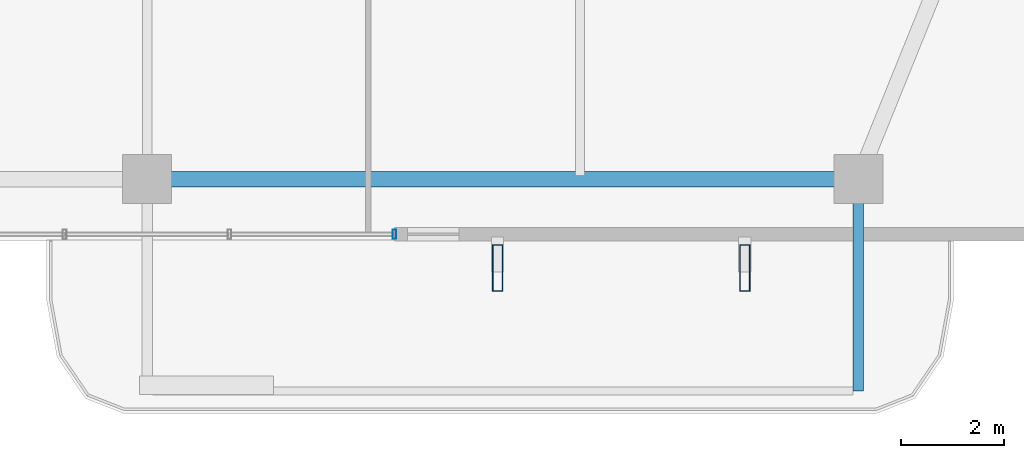
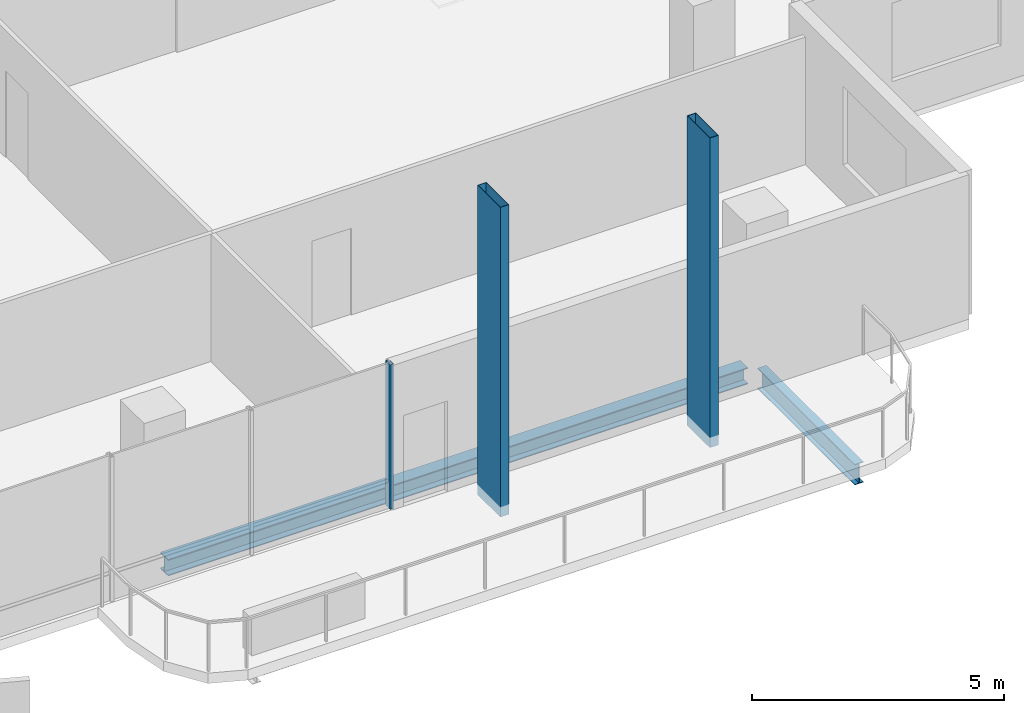
# One storey, part 8 of 25: 3 members, 2 beams, 1 element without a shape of its own.
"""IFC4 building model written with IfcOpenShell, lengths in metres."""

from ifc_helpers import new_model, si_unit, direction, frame, origin, origin_2d, place, context, subcontext, project, spatial, hollow_rectangle, i_section, extrude, material, layer, layer_set, material_profile, profile_set, type_object, element, aggregate, save


model = new_model("IFC4")

# Units and contexts
model_context = context("Model", 3, precision=1e-05, world=origin(), true_north=direction((0.0, 1.0)))
body_context = subcontext(model_context, "Body", "Model", "MODEL_VIEW")
ifc_project = project(units=[si_unit("LENGTHUNIT", "METRE"), si_unit("AREAUNIT", "SQUARE_METRE"), si_unit("VOLUMEUNIT", "CUBIC_METRE"), si_unit("PLANEANGLEUNIT", "RADIAN"), si_unit("MASSUNIT", "GRAM", prefix="KILO")], contexts=[model_context])

# Site, building, storey
site_placement = place(None, origin())
site = spatial("IfcSite", under=ifc_project, at=site_placement, CompositionType="ELEMENT")
building_placement = place(site_placement, origin())
building = spatial("IfcBuilding", under=site, at=building_placement, Name="Belovzor Exchange Tower", CompositionType="ELEMENT")
storey_placement = place(building_placement, frame((0.0, 0.0, 250.35009765625)))
storey = spatial("IfcBuildingStorey", under=building, at=storey_placement, Name="L62", CompositionType="ELEMENT", Elevation=250.35009765625)

# Beam
ifc_material_1 = material(Name="Steel S355", Category="steel")
ifc_material_profile_1 = material_profile(ifc_material_1, i_section(OverallWidth=0.199951171875, OverallDepth=0.5, WebThickness=0.01025390625, FlangeThickness=0.01611328125, at=origin_2d()))
ifc_profile_set_1 = profile_set([ifc_material_profile_1], Name="Steel S355")
beam_type_1 = type_object("IfcBeamType", Name="Planted Balcony Cantilever Beam IPE 500", PredefinedType="BEAM", material=ifc_profile_set_1)
beam_1_placement = place(storey_placement, frame((42.60009765625, 4.839111328125, -0.5), z_axis=(0.0, -1.0, 0.0), x_axis=(1.0, 0.0, 0.0)))
element("IfcBeam", 1, at=beam_1_placement, inside=storey, type_object=beam_type_1, Name="BC-500 Planted Balcony Cantilever Beam IPE 500", PredefinedType="BEAM", context=body_context, shape_type="SweptSolid", body=[
    extrude(i_section(OverallWidth=0.199951171875, OverallDepth=0.5, WebThickness=0.01025390625, FlangeThickness=0.01611328125, at=origin_2d()), origin(), (0.0, 0.0, 1.0), 3.85009765625),
])

# Members
ifc_material_2 = material(Name="Extruded Architectural Terracotta on Steel S355 Carrier", Category="masonry")
ifc_material_profile_2 = material_profile(ifc_material_2, hollow_rectangle(XDim=0.199951171875, YDim=0.89990234375, WallThickness=0.011962890625, at=origin_2d()))
ifc_profile_set_2 = profile_set([ifc_material_profile_2], Name="Extruded Architectural Terracotta on Steel S355 Carrier")
member_type_1 = type_object("IfcMemberType", Name="Sweeping Terracotta Baguette Fin Assembly 950", PredefinedType="USERDEFINED", material=ifc_profile_set_2)
for number, where, z_axis, x_axis, name in (
    (2, (35.60009765625, 3.375, -0.25), (0.0, 0.0, 1.0), (1.0, 0.0, 0.0), "FIN-TC095 Terracotta Facade Fin L62 S3"),
    (3, (40.39990234375, 3.375, -0.25), (0.0, 0.0, 1.0), (1.0, 0.0, 0.0), "FIN-TC095 Terracotta Facade Fin L62 S4"),
):
    element("IfcMember", number, at=place(storey_placement, frame(where, z_axis=z_axis, x_axis=x_axis)), inside=storey, type_object=member_type_1, Name=name, ObjectType="FIN", PredefinedType="USERDEFINED", context=body_context, shape_type="SweptSolid", body=[
        extrude(hollow_rectangle(XDim=0.199951171875, YDim=0.89990234375, WallThickness=0.011962890625, at=origin_2d()), origin(), (0.0, 0.0, 1.0), 7.5),
    ])

# Curtain wall, member
ifc_material_3 = material(Name="Anodised Aluminium Framing", Category="aluminium")
ifc_layer = layer(ifc_material_3, 0.179931640625)
ifc_layer_set = layer_set([ifc_layer], Name="Anodised Aluminium Framing")
curtain_wall_type = type_object("IfcCurtainWallType", Name="Recessed Loggia Low-Iron Triple-Glazed Curtain Wall", PredefinedType="NOTDEFINED", material=ifc_layer_set)
curtain_wall_placement = place(storey_placement, origin())
curtain_wall = element("IfcCurtainWall", 4, at=curtain_wall_placement, inside=storey, type_object=curtain_wall_type, Name="CW3 Recessed Loggia Low-Iron Triple-Glazed Curtain Wall L62", PredefinedType="NOTDEFINED")
ifc_material_4 = material(Name="Steel S355", Category="steel")
ifc_material_profile_3 = material_profile(ifc_material_4, hollow_rectangle(XDim=0.074951171875, YDim=0.179931640625, WallThickness=0.0048828125, at=origin_2d()))
ifc_profile_set_3 = profile_set([ifc_material_profile_3], Name="Steel S355")
member_type_2 = type_object("IfcMemberType", Name="Thermally Broken Curtain Wall Mullion 180x75", PredefinedType="MULLION", material=ifc_profile_set_3)
member_placement = place(storey_placement, frame((33.60009765625, 4.030029296875, 0.0), z_axis=(0.0, 0.0, 1.0), x_axis=(-1.0, 0.0, 0.0)))
member = element("IfcMember", 5, at=member_placement, type_object=member_type_2, Name="CW-M180 Curtain Wall Mullion 1", PredefinedType="MULLION", context=body_context, shape_type="SweptSolid", body=[
    extrude(hollow_rectangle(XDim=0.074951171875, YDim=0.179931640625, WallThickness=0.0048828125, at=origin_2d()), origin(), (0.0, 0.0, 1.0), 3.5),
])
aggregate(curtain_wall, [member])

# Beam
ifc_material_5 = material(Name="Steel S355", Category="steel")
ifc_material_profile_4 = material_profile(ifc_material_5, i_section(OverallWidth=0.300048828125, OverallDepth=0.39990234375, WebThickness=0.013427734375, FlangeThickness=0.02392578125, at=origin_2d()))
ifc_profile_set_4 = profile_set([ifc_material_profile_4], Name="Steel S355")
beam_type_2 = type_object("IfcBeamType", Name="Zone 5 Primary Girder HEB 400", PredefinedType="BEAM", material=ifc_profile_set_4)
beam_2_placement = place(storey_placement, frame((29.06103515625, 5.10009765625, -0.4501953125), z_axis=(1.0, 0.0, 0.0), x_axis=(0.0, 1.0, 0.0)))
element("IfcBeam", 6, at=beam_2_placement, inside=storey, type_object=beam_type_2, Name="FG-Z5 Zone 5 Primary Girder HEB 400", PredefinedType="BEAM", context=body_context, shape_type="SweptSolid", body=[
    extrude(i_section(OverallWidth=0.300048828125, OverallDepth=0.39990234375, WebThickness=0.013427734375, FlangeThickness=0.02392578125, at=origin_2d()), origin(), (0.0, 0.0, 1.0), 13.278076171875),
])

save(model, "model.ifc")
